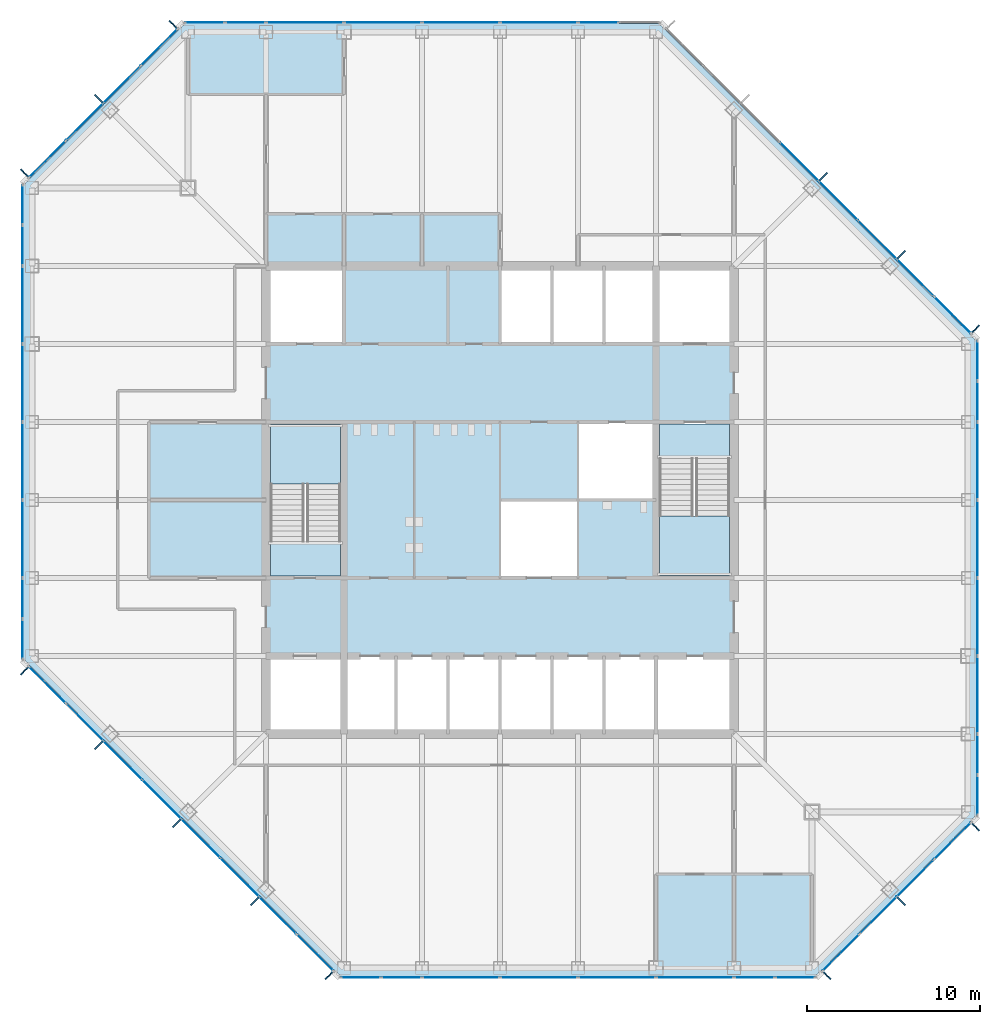
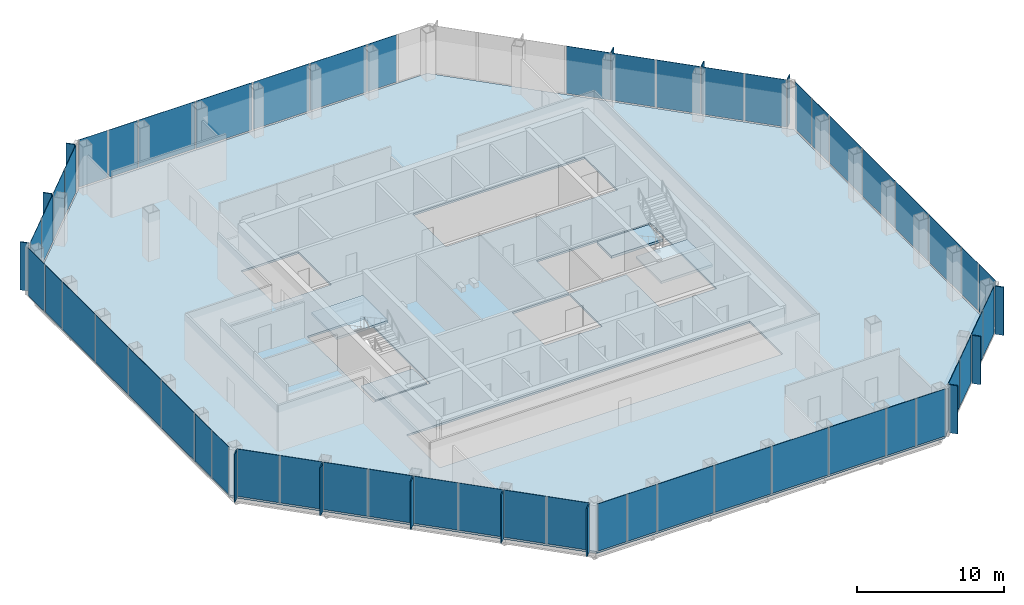
# One storey, part 7 of 12: 66 plates, 5 slabs, 10 elements without a shape of their own.
"""IFC4 building model written with IfcOpenShell, lengths in metres."""

from ifc_helpers import new_model, si_unit, direction, frame, origin, origin_2d, place, context, subcontext, project, spatial, polyline, rectangle, outline, extrude, material, layer, layer_set, type_object, element, aggregate, save


model = new_model("IFC4")

# Units and contexts
model_context = context("Model", 3, precision=1e-05, world=origin(), true_north=direction((0.0, 1.0)))
body_context = subcontext(model_context, "Body", "Model", "MODEL_VIEW")
ifc_project = project(units=[si_unit("LENGTHUNIT", "METRE"), si_unit("AREAUNIT", "SQUARE_METRE"), si_unit("VOLUMEUNIT", "CUBIC_METRE"), si_unit("PLANEANGLEUNIT", "RADIAN"), si_unit("MASSUNIT", "GRAM", prefix="KILO")], contexts=[model_context])

# Site, building, storey
site_placement = place(None, origin())
site = spatial("IfcSite", under=ifc_project, at=site_placement, CompositionType="ELEMENT")
building_placement = place(site_placement, origin())
building = spatial("IfcBuilding", under=site, at=building_placement, Name="Corais Broadcast Tower", CompositionType="ELEMENT")
storey_placement = place(building_placement, frame((0.0, 0.0, 131.60009765625)))
storey = spatial("IfcBuildingStorey", under=building, at=storey_placement, Name="L29", CompositionType="ELEMENT", Elevation=131.60009765625)

# Slab
ifc_material_1 = material(Name="Concrete C30/37", Category="concrete")
ifc_layer_1 = layer(ifc_material_1, 0.159912109375)
ifc_layer_set_1 = layer_set([ifc_layer_1], Name="Concrete C30/37")
slab_type_1 = type_object("IfcSlabType", Name="Composite floor slab 160", PredefinedType="FLOOR", material=ifc_layer_set_1)
slab_1_placement = place(storey_placement, frame((0.0, 0.0, -0.16015625)))
element("IfcSlab", 1, at=slab_1_placement, inside=storey, type_object=slab_type_1, Name="S160 floor slab L29", PredefinedType="FLOOR", context=body_context, shape_type="SweptSolid", body=[
    extrude(outline(polyline([(17.80126953125, -0.47998046875), (-0.47998046875, 17.80126953125), (-0.47998046875, 45.19873046875), (8.80126953125, 54.47998046875), (36.19873046875, 54.47998046875), (54.47998046875, 36.19873046875), (54.47998046875, 8.80126953125), (45.19873046875, -0.47998046875), (17.80126953125, -0.47998046875)]), holes=[polyline([(13.5, 18.0), (40.5, 18.0), (40.5, 13.5), (13.5, 13.5), (13.5, 18.0)]), polyline([(18.0, 22.5), (13.5, 22.5), (13.5, 31.5), (18.0, 31.5), (18.0, 22.5)]), polyline([(18.0, 36.0), (13.5, 36.0), (13.5, 40.5), (18.0, 40.5), (18.0, 36.0)]), polyline([(31.5, 22.5), (27.0, 22.5), (27.0, 27.0), (31.4951171875, 27.0), (31.4951171875, 27.0048828125), (31.5, 27.0048828125), (31.5, 31.5), (40.5, 31.5), (40.5, 22.5), (36.0, 22.5), (36.0, 27.0), (31.5048828125, 27.0), (31.5048828125, 26.9951171875), (31.5, 26.9951171875), (31.5, 22.5)]), polyline([(27.0, 40.5), (40.5, 40.5), (40.5, 36.0), (27.0, 36.0), (27.0, 40.5)])]), origin(), (0.0, 0.0, 1.0), 0.16015625),
])

# Curtain wall, plates
ifc_material_2 = material(Name="Aluminium and glass", Category="aluminium")
curtain_wall_type = type_object("IfcCurtainWallType", Name="Unitised fritted curtain wall CW2", PredefinedType="NOTDEFINED", material=ifc_material_2)
curtain_wall_1_placement = place(storey_placement, origin())
curtain_wall_1 = element("IfcCurtainWall", 2, at=curtain_wall_1_placement, inside=storey, type_object=curtain_wall_type, Name="CW2 curtain wall L29 1", PredefinedType="NOTDEFINED")
ifc_material_3 = material(Name="Ceramic-fritted laminated glass", Category="glass")
ifc_layer_2 = layer(ifc_material_3, 0.028076171875)
ifc_layer_set_2 = layer_set([ifc_layer_2], Name="Ceramic-fritted laminated glass")
plate_type_1 = type_object("IfcPlateType", Name="Fritted glass panel CW2", PredefinedType="CURTAIN_PANEL", material=ifc_layer_set_2)
plate_1_placement = place(storey_placement, frame((16.330322265625, 0.891845703125, 0.06494140625), z_axis=(0.0, 0.0, 1.0), x_axis=(-0.707106781187, 0.707106781187, 0.0)))
plate_1 = element("IfcPlate", 3, at=plate_1_placement, type_object=plate_type_1, Name="CW2 panel 1", PredefinedType="CURTAIN_PANEL", context=body_context, shape_type="SweptSolid", body=[
    extrude(rectangle(XDim=2.9482421875, YDim=0.028076171875, at=origin_2d()), origin(), (0.0, 0.0, 1.0), 3.93505859375),
])
plate_2_placement = place(storey_placement, frame((11.986083984375, 5.236083984375, 0.06494140625), z_axis=(0.0, 0.0, 1.0), x_axis=(-0.707106781187, 0.707106781187, 0.0)))
plate_2 = element("IfcPlate", 4, at=plate_2_placement, type_object=plate_type_1, Name="CW2 panel 3", PredefinedType="CURTAIN_PANEL", context=body_context, shape_type="SweptSolid", body=[
    extrude(rectangle(XDim=3.116943359375, YDim=0.028076171875, at=origin_2d()), origin(), (0.0, 0.0, 1.0), 3.93505859375),
])
plate_3_placement = place(storey_placement, frame((7.486083984375, 9.736083984375, 0.06494140625), z_axis=(0.0, 0.0, 1.0), x_axis=(-0.707106781187, 0.707106781187, 0.0)))
plate_3 = element("IfcPlate", 5, at=plate_3_placement, type_object=plate_type_1, Name="CW2 panel 5", PredefinedType="CURTAIN_PANEL", context=body_context, shape_type="SweptSolid", body=[
    extrude(rectangle(XDim=3.116943359375, YDim=0.028076171875, at=origin_2d()), origin(), (0.0, 0.0, 1.0), 3.93505859375),
])
plate_4_placement = place(storey_placement, frame((3.0341796875, 14.18798828125, 0.06494140625), z_axis=(0.0, 0.0, 1.0), x_axis=(-0.707106781187, 0.707106781187, 0.0)))
plate_4 = element("IfcPlate", 6, at=plate_4_placement, type_object=plate_type_1, Name="CW2 panel 7", PredefinedType="CURTAIN_PANEL", context=body_context, shape_type="SweptSolid", body=[
    extrude(rectangle(XDim=2.98095703125, YDim=0.028076171875, at=origin_2d()), origin(), (0.0, 0.0, 1.0), 3.93505859375),
])

curtain_wall_2_placement = place(storey_placement, origin())
curtain_wall_2 = element("IfcCurtainWall", 7, at=curtain_wall_2_placement, inside=storey, type_object=curtain_wall_type, Name="CW2 curtain wall L29 2", PredefinedType="NOTDEFINED")
plate_5_placement = place(storey_placement, frame((-0.550048828125, 18.970458984375, 0.06494140625), z_axis=(0.0, 0.0, 1.0), x_axis=(0.0, 1.0, 0.0)))
plate_5 = element("IfcPlate", 8, at=plate_5_placement, type_object=plate_type_1, Name="CW2 panel 1", PredefinedType="CURTAIN_PANEL", context=body_context, shape_type="SweptSolid", body=[
    extrude(rectangle(XDim=2.266357421875, YDim=0.028076171875, at=origin_2d()), origin(), (0.0, 0.0, 1.0), 3.93505859375),
])
plate_6_placement = place(storey_placement, frame((-0.550048828125, 24.75, 0.06494140625), z_axis=(0.0, 0.0, 1.0), x_axis=(0.0, 1.0, 0.0)))
plate_6 = element("IfcPlate", 9, at=plate_6_placement, type_object=plate_type_1, Name="CW2 panel 3", PredefinedType="CURTAIN_PANEL", context=body_context, shape_type="SweptSolid", body=[
    extrude(rectangle(XDim=4.43505859375, YDim=0.028076171875, at=origin_2d()), origin(), (0.0, 0.0, 1.0), 3.93505859375),
])
plate_7_placement = place(storey_placement, frame((-0.550048828125, 33.75, 0.06494140625), z_axis=(0.0, 0.0, 1.0), x_axis=(0.0, 1.0, 0.0)))
plate_7 = element("IfcPlate", 10, at=plate_7_placement, type_object=plate_type_1, Name="CW2 panel 5", PredefinedType="CURTAIN_PANEL", context=body_context, shape_type="SweptSolid", body=[
    extrude(rectangle(XDim=4.43505859375, YDim=0.028076171875, at=origin_2d()), origin(), (0.0, 0.0, 1.0), 3.93505859375),
])
plate_8_placement = place(storey_placement, frame((-0.550048828125, 41.681884765625, 0.06494140625), z_axis=(0.0, 0.0, 1.0), x_axis=(0.0, 1.0, 0.0)))
plate_8 = element("IfcPlate", 11, at=plate_8_placement, type_object=plate_type_1, Name="CW2 panel 7", PredefinedType="CURTAIN_PANEL", context=body_context, shape_type="SweptSolid", body=[
    extrude(rectangle(XDim=2.298828125, YDim=0.028076171875, at=origin_2d()), origin(), (0.0, 0.0, 1.0), 3.93505859375),
])

curtain_wall_3_placement = place(storey_placement, origin())
curtain_wall_3 = element("IfcCurtainWall", 12, at=curtain_wall_3_placement, inside=storey, type_object=curtain_wall_type, Name="CW2 curtain wall L29 3", PredefinedType="NOTDEFINED")
plate_9_placement = place(storey_placement, frame((0.891845703125, 46.669677734375, 0.06494140625), z_axis=(0.0, 0.0, 1.0), x_axis=(0.707106781187, 0.707106781187, 0.0)))
plate_9 = element("IfcPlate", 13, at=plate_9_placement, type_object=plate_type_1, Name="CW2 panel 1", PredefinedType="CURTAIN_PANEL", context=body_context, shape_type="SweptSolid", body=[
    extrude(rectangle(XDim=2.9482421875, YDim=0.028076171875, at=origin_2d()), origin(), (0.0, 0.0, 1.0), 3.93505859375),
])
plate_10_placement = place(storey_placement, frame((5.18798828125, 50.9658203125, 0.06494140625), z_axis=(0.0, 0.0, 1.0), x_axis=(0.707106781187, 0.707106781187, 0.0)))
plate_10 = element("IfcPlate", 14, at=plate_10_placement, type_object=plate_type_1, Name="CW2 panel 3", PredefinedType="CURTAIN_PANEL", context=body_context, shape_type="SweptSolid", body=[
    extrude(rectangle(XDim=2.98095703125, YDim=0.028076171875, at=origin_2d()), origin(), (0.0, 0.0, 1.0), 3.93505859375),
])

curtain_wall_4_placement = place(storey_placement, origin())
curtain_wall_4 = element("IfcCurtainWall", 15, at=curtain_wall_4_placement, inside=storey, type_object=curtain_wall_type, Name="CW2 curtain wall L29 4", PredefinedType="NOTDEFINED")
plate_11_placement = place(storey_placement, frame((9.970458984375, 54.550048828125, 0.06494140625), z_axis=(0.0, 0.0, 1.0), x_axis=(1.0, 0.0, 0.0)))
plate_11 = element("IfcPlate", 16, at=plate_11_placement, type_object=plate_type_1, Name="CW2 panel 1", PredefinedType="CURTAIN_PANEL", context=body_context, shape_type="SweptSolid", body=[
    extrude(rectangle(XDim=2.266357421875, YDim=0.028076171875, at=origin_2d()), origin(), (0.0, 0.0, 1.0), 3.93505859375),
])
plate_12_placement = place(storey_placement, frame((15.75, 54.550048828125, 0.06494140625), z_axis=(0.0, 0.0, 1.0), x_axis=(1.0, 0.0, 0.0)))
plate_12 = element("IfcPlate", 17, at=plate_12_placement, type_object=plate_type_1, Name="CW2 panel 3", PredefinedType="CURTAIN_PANEL", context=body_context, shape_type="SweptSolid", body=[
    extrude(rectangle(XDim=4.43505859375, YDim=0.028076171875, at=origin_2d()), origin(), (0.0, 0.0, 1.0), 3.93505859375),
])
plate_13_placement = place(storey_placement, frame((24.75, 54.550048828125, 0.06494140625), z_axis=(0.0, 0.0, 1.0), x_axis=(1.0, 0.0, 0.0)))
plate_13 = element("IfcPlate", 18, at=plate_13_placement, type_object=plate_type_1, Name="CW2 panel 5", PredefinedType="CURTAIN_PANEL", context=body_context, shape_type="SweptSolid", body=[
    extrude(rectangle(XDim=4.43505859375, YDim=0.028076171875, at=origin_2d()), origin(), (0.0, 0.0, 1.0), 3.93505859375),
])
plate_14_placement = place(storey_placement, frame((32.681884765625, 54.550048828125, 0.06494140625), z_axis=(0.0, 0.0, 1.0), x_axis=(1.0, 0.0, 0.0)))
plate_14 = element("IfcPlate", 19, at=plate_14_placement, type_object=plate_type_1, Name="CW2 panel 7", PredefinedType="CURTAIN_PANEL", context=body_context, shape_type="SweptSolid", body=[
    extrude(rectangle(XDim=2.298828125, YDim=0.028076171875, at=origin_2d()), origin(), (0.0, 0.0, 1.0), 3.93505859375),
])

curtain_wall_5_placement = place(storey_placement, origin())
curtain_wall_5 = element("IfcCurtainWall", 20, at=curtain_wall_5_placement, inside=storey, type_object=curtain_wall_type, Name="CW2 curtain wall L29 5", PredefinedType="NOTDEFINED")
plate_15_placement = place(storey_placement, frame((46.513916015625, 44.263916015625, 0.06494140625), z_axis=(0.0, 0.0, 1.0), x_axis=(0.707106781187, -0.707106781187, 0.0)))
plate_15 = element("IfcPlate", 21, at=plate_15_placement, type_object=plate_type_1, Name="CW2 panel 5", PredefinedType="CURTAIN_PANEL", context=body_context, shape_type="SweptSolid", body=[
    extrude(rectangle(XDim=3.116943359375, YDim=0.028076171875, at=origin_2d()), origin(), (0.0, 0.0, 1.0), 3.93505859375),
])
plate_16_placement = place(storey_placement, frame((50.9658203125, 39.81201171875, 0.06494140625), z_axis=(0.0, 0.0, 1.0), x_axis=(0.707106781187, -0.707106781187, 0.0)))
plate_16 = element("IfcPlate", 22, at=plate_16_placement, type_object=plate_type_1, Name="CW2 panel 7", PredefinedType="CURTAIN_PANEL", context=body_context, shape_type="SweptSolid", body=[
    extrude(rectangle(XDim=2.98095703125, YDim=0.028076171875, at=origin_2d()), origin(), (0.0, 0.0, 1.0), 3.93505859375),
])

curtain_wall_6_placement = place(storey_placement, origin())
curtain_wall_6 = element("IfcCurtainWall", 23, at=curtain_wall_6_placement, inside=storey, type_object=curtain_wall_type, Name="CW2 curtain wall L29 6", PredefinedType="NOTDEFINED")
plate_17_placement = place(storey_placement, frame((54.550048828125, 35.029541015625, 0.06494140625), z_axis=(0.0, 0.0, 1.0), x_axis=(0.0, -1.0, 0.0)))
plate_17 = element("IfcPlate", 24, at=plate_17_placement, type_object=plate_type_1, Name="CW2 panel 1", PredefinedType="CURTAIN_PANEL", context=body_context, shape_type="SweptSolid", body=[
    extrude(rectangle(XDim=2.266357421875, YDim=0.028076171875, at=origin_2d()), origin(), (0.0, 0.0, 1.0), 3.93505859375),
])
plate_18_placement = place(storey_placement, frame((54.550048828125, 29.25, 0.06494140625), z_axis=(0.0, 0.0, 1.0), x_axis=(0.0, -1.0, 0.0)))
plate_18 = element("IfcPlate", 25, at=plate_18_placement, type_object=plate_type_1, Name="CW2 panel 3", PredefinedType="CURTAIN_PANEL", context=body_context, shape_type="SweptSolid", body=[
    extrude(rectangle(XDim=4.43505859375, YDim=0.028076171875, at=origin_2d()), origin(), (0.0, 0.0, 1.0), 3.93505859375),
])
plate_19_placement = place(storey_placement, frame((54.550048828125, 20.25, 0.06494140625), z_axis=(0.0, 0.0, 1.0), x_axis=(0.0, -1.0, 0.0)))
plate_19 = element("IfcPlate", 26, at=plate_19_placement, type_object=plate_type_1, Name="CW2 panel 5", PredefinedType="CURTAIN_PANEL", context=body_context, shape_type="SweptSolid", body=[
    extrude(rectangle(XDim=4.43505859375, YDim=0.028076171875, at=origin_2d()), origin(), (0.0, 0.0, 1.0), 3.93505859375),
])
plate_20_placement = place(storey_placement, frame((54.550048828125, 12.318115234375, 0.06494140625), z_axis=(0.0, 0.0, 1.0), x_axis=(0.0, -1.0, 0.0)))
plate_20 = element("IfcPlate", 27, at=plate_20_placement, type_object=plate_type_1, Name="CW2 panel 7", PredefinedType="CURTAIN_PANEL", context=body_context, shape_type="SweptSolid", body=[
    extrude(rectangle(XDim=2.298828125, YDim=0.028076171875, at=origin_2d()), origin(), (0.0, 0.0, 1.0), 3.93505859375),
])

curtain_wall_7_placement = place(storey_placement, origin())
curtain_wall_7 = element("IfcCurtainWall", 28, at=curtain_wall_7_placement, inside=storey, type_object=curtain_wall_type, Name="CW2 curtain wall L29 7", PredefinedType="NOTDEFINED")
plate_21_placement = place(storey_placement, frame((53.108154296875, 7.330322265625, 0.06494140625), z_axis=(0.0, 0.0, 1.0), x_axis=(-0.707106781187, -0.707106781187, 0.0)))
plate_21 = element("IfcPlate", 29, at=plate_21_placement, type_object=plate_type_1, Name="CW2 panel 1", PredefinedType="CURTAIN_PANEL", context=body_context, shape_type="SweptSolid", body=[
    extrude(rectangle(XDim=2.9482421875, YDim=0.028076171875, at=origin_2d()), origin(), (0.0, 0.0, 1.0), 3.93505859375),
])
plate_22_placement = place(storey_placement, frame((48.81201171875, 3.0341796875, 0.06494140625), z_axis=(0.0, 0.0, 1.0), x_axis=(-0.707106781187, -0.707106781187, 0.0)))
plate_22 = element("IfcPlate", 30, at=plate_22_placement, type_object=plate_type_1, Name="CW2 panel 3", PredefinedType="CURTAIN_PANEL", context=body_context, shape_type="SweptSolid", body=[
    extrude(rectangle(XDim=2.98095703125, YDim=0.028076171875, at=origin_2d()), origin(), (0.0, 0.0, 1.0), 3.93505859375),
])

curtain_wall_8_placement = place(storey_placement, origin())
curtain_wall_8 = element("IfcCurtainWall", 31, at=curtain_wall_8_placement, inside=storey, type_object=curtain_wall_type, Name="CW2 curtain wall L29 8", PredefinedType="NOTDEFINED")
plate_23_placement = place(storey_placement, frame((44.029541015625, -0.550048828125, 0.06494140625), z_axis=(0.0, 0.0, 1.0), x_axis=(-1.0, 0.0, 0.0)))
plate_23 = element("IfcPlate", 32, at=plate_23_placement, type_object=plate_type_1, Name="CW2 panel 1", PredefinedType="CURTAIN_PANEL", context=body_context, shape_type="SweptSolid", body=[
    extrude(rectangle(XDim=2.266357421875, YDim=0.028076171875, at=origin_2d()), origin(), (0.0, 0.0, 1.0), 3.93505859375),
])
plate_24_placement = place(storey_placement, frame((38.25, -0.550048828125, 0.06494140625), z_axis=(0.0, 0.0, 1.0), x_axis=(-1.0, 0.0, 0.0)))
plate_24 = element("IfcPlate", 33, at=plate_24_placement, type_object=plate_type_1, Name="CW2 panel 3", PredefinedType="CURTAIN_PANEL", context=body_context, shape_type="SweptSolid", body=[
    extrude(rectangle(XDim=4.43505859375, YDim=0.028076171875, at=origin_2d()), origin(), (0.0, 0.0, 1.0), 3.93505859375),
])
plate_25_placement = place(storey_placement, frame((29.25, -0.550048828125, 0.06494140625), z_axis=(0.0, 0.0, 1.0), x_axis=(-1.0, 0.0, 0.0)))
plate_25 = element("IfcPlate", 34, at=plate_25_placement, type_object=plate_type_1, Name="CW2 panel 5", PredefinedType="CURTAIN_PANEL", context=body_context, shape_type="SweptSolid", body=[
    extrude(rectangle(XDim=4.43505859375, YDim=0.028076171875, at=origin_2d()), origin(), (0.0, 0.0, 1.0), 3.93505859375),
])
plate_26_placement = place(storey_placement, frame((21.318115234375, -0.550048828125, 0.06494140625), z_axis=(0.0, 0.0, 1.0), x_axis=(-1.0, 0.0, 0.0)))
plate_26 = element("IfcPlate", 35, at=plate_26_placement, type_object=plate_type_1, Name="CW2 panel 7", PredefinedType="CURTAIN_PANEL", context=body_context, shape_type="SweptSolid", body=[
    extrude(rectangle(XDim=2.298828125, YDim=0.028076171875, at=origin_2d()), origin(), (0.0, 0.0, 1.0), 3.93505859375),
])

# Plate
ifc_material_4 = material(Name="Clear laminated glass", Category="glass")
ifc_layer_3 = layer(ifc_material_4, 0.031982421875)
ifc_layer_set_3 = layer_set([ifc_layer_3], Name="Clear laminated glass")
plate_type_2 = type_object("IfcPlateType", Name="Operable glass panel CW2", PredefinedType="CURTAIN_PANEL", material=ifc_layer_set_3)
plate_27_placement = place(storey_placement, frame((14.18798828125, 3.0341796875, 0.06494140625), z_axis=(0.0, 0.0, 1.0), x_axis=(-0.707106781187, 0.707106781187, 0.0)))
plate_27 = element("IfcPlate", 36, at=plate_27_placement, type_object=plate_type_2, Name="CW2 operable panel 2", PredefinedType="CURTAIN_PANEL", context=body_context, shape_type="SweptSolid", body=[
    extrude(rectangle(XDim=2.98095703125, YDim=0.031982421875, at=origin_2d()), origin(), (0.0, 0.0, 1.0), 3.93505859375),
])

plate_28_placement = place(storey_placement, frame((9.736083984375, 7.486083984375, 0.06494140625), z_axis=(0.0, 0.0, 1.0), x_axis=(-0.707106781187, 0.707106781187, 0.0)))
plate_28 = element("IfcPlate", 37, at=plate_28_placement, type_object=plate_type_2, Name="CW2 operable panel 4", PredefinedType="CURTAIN_PANEL", context=body_context, shape_type="SweptSolid", body=[
    extrude(rectangle(XDim=3.116943359375, YDim=0.031982421875, at=origin_2d()), origin(), (0.0, 0.0, 1.0), 3.93505859375),
])

plate_29_placement = place(storey_placement, frame((5.236083984375, 11.986083984375, 0.06494140625), z_axis=(0.0, 0.0, 1.0), x_axis=(-0.707106781187, 0.707106781187, 0.0)))
plate_29 = element("IfcPlate", 38, at=plate_29_placement, type_object=plate_type_2, Name="CW2 operable panel 6", PredefinedType="CURTAIN_PANEL", context=body_context, shape_type="SweptSolid", body=[
    extrude(rectangle(XDim=3.116943359375, YDim=0.031982421875, at=origin_2d()), origin(), (0.0, 0.0, 1.0), 3.93505859375),
])

plate_30_placement = place(storey_placement, frame((0.89208984375, 16.330322265625, 0.06494140625), z_axis=(0.0, 0.0, 1.0), x_axis=(-0.707106781187, 0.707106781187, 0.0)))
plate_30 = element("IfcPlate", 39, at=plate_30_placement, type_object=plate_type_2, Name="CW2 operable panel 8", PredefinedType="CURTAIN_PANEL", context=body_context, shape_type="SweptSolid", body=[
    extrude(rectangle(XDim=2.948486328125, YDim=0.031982421875, at=origin_2d()), origin(), (0.0, 0.0, 1.0), 3.93505859375),
])

aggregate(curtain_wall_1, [plate_1, plate_27, plate_2, plate_28, plate_3, plate_29, plate_4, plate_30])

plate_31_placement = place(storey_placement, frame((-0.550048828125, 21.318115234375, 0.06494140625), z_axis=(0.0, 0.0, 1.0), x_axis=(0.0, 1.0, 0.0)))
plate_31 = element("IfcPlate", 40, at=plate_31_placement, type_object=plate_type_2, Name="CW2 operable panel 2", PredefinedType="CURTAIN_PANEL", context=body_context, shape_type="SweptSolid", body=[
    extrude(rectangle(XDim=2.298828125, YDim=0.031982421875, at=origin_2d()), origin(), (0.0, 0.0, 1.0), 3.93505859375),
])

plate_32_placement = place(storey_placement, frame((-0.550048828125, 29.25, 0.06494140625), z_axis=(0.0, 0.0, 1.0), x_axis=(0.0, 1.0, 0.0)))
plate_32 = element("IfcPlate", 41, at=plate_32_placement, type_object=plate_type_2, Name="CW2 operable panel 4", PredefinedType="CURTAIN_PANEL", context=body_context, shape_type="SweptSolid", body=[
    extrude(rectangle(XDim=4.43505859375, YDim=0.031982421875, at=origin_2d()), origin(), (0.0, 0.0, 1.0), 3.93505859375),
])

plate_33_placement = place(storey_placement, frame((-0.550048828125, 38.25, 0.06494140625), z_axis=(0.0, 0.0, 1.0), x_axis=(0.0, 1.0, 0.0)))
plate_33 = element("IfcPlate", 42, at=plate_33_placement, type_object=plate_type_2, Name="CW2 operable panel 6", PredefinedType="CURTAIN_PANEL", context=body_context, shape_type="SweptSolid", body=[
    extrude(rectangle(XDim=4.43505859375, YDim=0.031982421875, at=origin_2d()), origin(), (0.0, 0.0, 1.0), 3.93505859375),
])

plate_34_placement = place(storey_placement, frame((-0.550048828125, 44.029541015625, 0.06494140625), z_axis=(0.0, 0.0, 1.0), x_axis=(0.0, 1.0, 0.0)))
plate_34 = element("IfcPlate", 43, at=plate_34_placement, type_object=plate_type_2, Name="CW2 operable panel 8", PredefinedType="CURTAIN_PANEL", context=body_context, shape_type="SweptSolid", body=[
    extrude(rectangle(XDim=2.266357421875, YDim=0.031982421875, at=origin_2d()), origin(), (0.0, 0.0, 1.0), 3.93505859375),
])

aggregate(curtain_wall_2, [plate_5, plate_31, plate_6, plate_32, plate_7, plate_33, plate_8, plate_34])

plate_35_placement = place(storey_placement, frame((3.0341796875, 48.81201171875, 0.06494140625), z_axis=(0.0, 0.0, 1.0), x_axis=(0.707106781187, 0.707106781187, 0.0)))
plate_35 = element("IfcPlate", 44, at=plate_35_placement, type_object=plate_type_2, Name="CW2 operable panel 2", PredefinedType="CURTAIN_PANEL", context=body_context, shape_type="SweptSolid", body=[
    extrude(rectangle(XDim=2.98095703125, YDim=0.031982421875, at=origin_2d()), origin(), (0.0, 0.0, 1.0), 3.93505859375),
])

plate_36_placement = place(storey_placement, frame((7.330322265625, 53.10791015625, 0.06494140625), z_axis=(0.0, 0.0, 1.0), x_axis=(0.707106781187, 0.707106781187, 0.0)))
plate_36 = element("IfcPlate", 45, at=plate_36_placement, type_object=plate_type_2, Name="CW2 operable panel 4", PredefinedType="CURTAIN_PANEL", context=body_context, shape_type="SweptSolid", body=[
    extrude(rectangle(XDim=2.948486328125, YDim=0.031982421875, at=origin_2d()), origin(), (0.0, 0.0, 1.0), 3.93505859375),
])

aggregate(curtain_wall_3, [plate_9, plate_35, plate_10, plate_36])

plate_37_placement = place(storey_placement, frame((12.318115234375, 54.550048828125, 0.06494140625), z_axis=(0.0, 0.0, 1.0), x_axis=(1.0, 0.0, 0.0)))
plate_37 = element("IfcPlate", 46, at=plate_37_placement, type_object=plate_type_2, Name="CW2 operable panel 2", PredefinedType="CURTAIN_PANEL", context=body_context, shape_type="SweptSolid", body=[
    extrude(rectangle(XDim=2.298828125, YDim=0.031982421875, at=origin_2d()), origin(), (0.0, 0.0, 1.0), 3.93505859375),
])

plate_38_placement = place(storey_placement, frame((20.25, 54.550048828125, 0.06494140625), z_axis=(0.0, 0.0, 1.0), x_axis=(1.0, 0.0, 0.0)))
plate_38 = element("IfcPlate", 47, at=plate_38_placement, type_object=plate_type_2, Name="CW2 operable panel 4", PredefinedType="CURTAIN_PANEL", context=body_context, shape_type="SweptSolid", body=[
    extrude(rectangle(XDim=4.43505859375, YDim=0.031982421875, at=origin_2d()), origin(), (0.0, 0.0, 1.0), 3.93505859375),
])

plate_39_placement = place(storey_placement, frame((29.25, 54.550048828125, 0.06494140625), z_axis=(0.0, 0.0, 1.0), x_axis=(1.0, 0.0, 0.0)))
plate_39 = element("IfcPlate", 48, at=plate_39_placement, type_object=plate_type_2, Name="CW2 operable panel 6", PredefinedType="CURTAIN_PANEL", context=body_context, shape_type="SweptSolid", body=[
    extrude(rectangle(XDim=4.43505859375, YDim=0.031982421875, at=origin_2d()), origin(), (0.0, 0.0, 1.0), 3.93505859375),
])

aggregate(curtain_wall_4, [plate_11, plate_37, plate_12, plate_38, plate_13, plate_39, plate_14])

plate_40_placement = place(storey_placement, frame((44.263916015625, 46.513916015625, 0.06494140625), z_axis=(0.0, 0.0, 1.0), x_axis=(0.707106781187, -0.707106781187, 0.0)))
plate_40 = element("IfcPlate", 49, at=plate_40_placement, type_object=plate_type_2, Name="CW2 operable panel 4", PredefinedType="CURTAIN_PANEL", context=body_context, shape_type="SweptSolid", body=[
    extrude(rectangle(XDim=3.116943359375, YDim=0.031982421875, at=origin_2d()), origin(), (0.0, 0.0, 1.0), 3.93505859375),
])

plate_41_placement = place(storey_placement, frame((48.763916015625, 42.013916015625, 0.06494140625), z_axis=(0.0, 0.0, 1.0), x_axis=(0.707106781187, -0.707106781187, 0.0)))
plate_41 = element("IfcPlate", 50, at=plate_41_placement, type_object=plate_type_2, Name="CW2 operable panel 6", PredefinedType="CURTAIN_PANEL", context=body_context, shape_type="SweptSolid", body=[
    extrude(rectangle(XDim=3.116943359375, YDim=0.031982421875, at=origin_2d()), origin(), (0.0, 0.0, 1.0), 3.93505859375),
])

plate_42_placement = place(storey_placement, frame((53.10791015625, 37.669677734375, 0.06494140625), z_axis=(0.0, 0.0, 1.0), x_axis=(0.707106781187, -0.707106781187, 0.0)))
plate_42 = element("IfcPlate", 51, at=plate_42_placement, type_object=plate_type_2, Name="CW2 operable panel 8", PredefinedType="CURTAIN_PANEL", context=body_context, shape_type="SweptSolid", body=[
    extrude(rectangle(XDim=2.948486328125, YDim=0.031982421875, at=origin_2d()), origin(), (0.0, 0.0, 1.0), 3.93505859375),
])

aggregate(curtain_wall_5, [plate_40, plate_15, plate_41, plate_16, plate_42])

plate_43_placement = place(storey_placement, frame((54.550048828125, 32.681884765625, 0.06494140625), z_axis=(0.0, 0.0, 1.0), x_axis=(0.0, -1.0, 0.0)))
plate_43 = element("IfcPlate", 52, at=plate_43_placement, type_object=plate_type_2, Name="CW2 operable panel 2", PredefinedType="CURTAIN_PANEL", context=body_context, shape_type="SweptSolid", body=[
    extrude(rectangle(XDim=2.298828125, YDim=0.031982421875, at=origin_2d()), origin(), (0.0, 0.0, 1.0), 3.93505859375),
])

plate_44_placement = place(storey_placement, frame((54.550048828125, 24.75, 0.06494140625), z_axis=(0.0, 0.0, 1.0), x_axis=(0.0, -1.0, 0.0)))
plate_44 = element("IfcPlate", 53, at=plate_44_placement, type_object=plate_type_2, Name="CW2 operable panel 4", PredefinedType="CURTAIN_PANEL", context=body_context, shape_type="SweptSolid", body=[
    extrude(rectangle(XDim=4.43505859375, YDim=0.031982421875, at=origin_2d()), origin(), (0.0, 0.0, 1.0), 3.93505859375),
])

plate_45_placement = place(storey_placement, frame((54.550048828125, 15.75, 0.06494140625), z_axis=(0.0, 0.0, 1.0), x_axis=(0.0, -1.0, 0.0)))
plate_45 = element("IfcPlate", 54, at=plate_45_placement, type_object=plate_type_2, Name="CW2 operable panel 6", PredefinedType="CURTAIN_PANEL", context=body_context, shape_type="SweptSolid", body=[
    extrude(rectangle(XDim=4.43505859375, YDim=0.031982421875, at=origin_2d()), origin(), (0.0, 0.0, 1.0), 3.93505859375),
])

plate_46_placement = place(storey_placement, frame((54.550048828125, 9.970458984375, 0.06494140625), z_axis=(0.0, 0.0, 1.0), x_axis=(0.0, -1.0, 0.0)))
plate_46 = element("IfcPlate", 55, at=plate_46_placement, type_object=plate_type_2, Name="CW2 operable panel 8", PredefinedType="CURTAIN_PANEL", context=body_context, shape_type="SweptSolid", body=[
    extrude(rectangle(XDim=2.266357421875, YDim=0.031982421875, at=origin_2d()), origin(), (0.0, 0.0, 1.0), 3.93505859375),
])

aggregate(curtain_wall_6, [plate_17, plate_43, plate_18, plate_44, plate_19, plate_45, plate_20, plate_46])

plate_47_placement = place(storey_placement, frame((50.9658203125, 5.18798828125, 0.06494140625), z_axis=(0.0, 0.0, 1.0), x_axis=(-0.707106781187, -0.707106781187, 0.0)))
plate_47 = element("IfcPlate", 56, at=plate_47_placement, type_object=plate_type_2, Name="CW2 operable panel 2", PredefinedType="CURTAIN_PANEL", context=body_context, shape_type="SweptSolid", body=[
    extrude(rectangle(XDim=2.98095703125, YDim=0.031982421875, at=origin_2d()), origin(), (0.0, 0.0, 1.0), 3.93505859375),
])

plate_48_placement = place(storey_placement, frame((46.669677734375, 0.89208984375, 0.06494140625), z_axis=(0.0, 0.0, 1.0), x_axis=(-0.707106781187, -0.707106781187, 0.0)))
plate_48 = element("IfcPlate", 57, at=plate_48_placement, type_object=plate_type_2, Name="CW2 operable panel 4", PredefinedType="CURTAIN_PANEL", context=body_context, shape_type="SweptSolid", body=[
    extrude(rectangle(XDim=2.948486328125, YDim=0.031982421875, at=origin_2d()), origin(), (0.0, 0.0, 1.0), 3.93505859375),
])

aggregate(curtain_wall_7, [plate_21, plate_47, plate_22, plate_48])

plate_49_placement = place(storey_placement, frame((41.681884765625, -0.550048828125, 0.06494140625), z_axis=(0.0, 0.0, 1.0), x_axis=(-1.0, 0.0, 0.0)))
plate_49 = element("IfcPlate", 58, at=plate_49_placement, type_object=plate_type_2, Name="CW2 operable panel 2", PredefinedType="CURTAIN_PANEL", context=body_context, shape_type="SweptSolid", body=[
    extrude(rectangle(XDim=2.298828125, YDim=0.031982421875, at=origin_2d()), origin(), (0.0, 0.0, 1.0), 3.93505859375),
])

plate_50_placement = place(storey_placement, frame((33.75, -0.550048828125, 0.06494140625), z_axis=(0.0, 0.0, 1.0), x_axis=(-1.0, 0.0, 0.0)))
plate_50 = element("IfcPlate", 59, at=plate_50_placement, type_object=plate_type_2, Name="CW2 operable panel 4", PredefinedType="CURTAIN_PANEL", context=body_context, shape_type="SweptSolid", body=[
    extrude(rectangle(XDim=4.43505859375, YDim=0.031982421875, at=origin_2d()), origin(), (0.0, 0.0, 1.0), 3.93505859375),
])

plate_51_placement = place(storey_placement, frame((24.75, -0.550048828125, 0.06494140625), z_axis=(0.0, 0.0, 1.0), x_axis=(-1.0, 0.0, 0.0)))
plate_51 = element("IfcPlate", 60, at=plate_51_placement, type_object=plate_type_2, Name="CW2 operable panel 6", PredefinedType="CURTAIN_PANEL", context=body_context, shape_type="SweptSolid", body=[
    extrude(rectangle(XDim=4.43505859375, YDim=0.031982421875, at=origin_2d()), origin(), (0.0, 0.0, 1.0), 3.93505859375),
])

plate_52_placement = place(storey_placement, frame((18.970458984375, -0.550048828125, 0.06494140625), z_axis=(0.0, 0.0, 1.0), x_axis=(-1.0, 0.0, 0.0)))
plate_52 = element("IfcPlate", 61, at=plate_52_placement, type_object=plate_type_2, Name="CW2 operable panel 8", PredefinedType="CURTAIN_PANEL", context=body_context, shape_type="SweptSolid", body=[
    extrude(rectangle(XDim=2.266357421875, YDim=0.031982421875, at=origin_2d()), origin(), (0.0, 0.0, 1.0), 3.93505859375),
])

aggregate(curtain_wall_8, [plate_23, plate_49, plate_24, plate_50, plate_25, plate_51, plate_26, plate_52])

# Stair, slabs
ifc_material_5 = material(Name="Concrete C30/37", Category="concrete")
stair_type = type_object("IfcStairType", Name="Half-turn stair 4000", PredefinedType="HALF_TURN_STAIR", material=ifc_material_5)
stair_1_placement = place(storey_placement, origin())
stair_1 = element("IfcStair", 62, at=stair_1_placement, inside=storey, type_object=stair_type, Name="Stair A L29", PredefinedType="HALF_TURN_STAIR")
ifc_material_6 = material(Name="Concrete C30/37", Category="concrete")
ifc_layer_4 = layer(ifc_material_6, 0.199951171875)
ifc_layer_set_4 = layer_set([ifc_layer_4], Name="Concrete C30/37")
slab_type_2 = type_object("IfcSlabType", Name="Stair landing 200", PredefinedType="LANDING", material=ifc_layer_set_4)
slab_2_placement = place(storey_placement, frame((0.0, 0.0, -0.2001953125)))
slab_2 = element("IfcSlab", 63, at=slab_2_placement, type_object=slab_type_2, Name="STA landing 1", PredefinedType="LANDING", context=body_context, shape_type="SweptSolid", body=[
    extrude(outline(polyline([(13.75, 22.625), (17.800048828125, 22.625), (17.800048828125, 24.60009765625), (13.75, 24.60009765625), (13.75, 22.625)])), origin(), (0.0, 0.0, 1.0), 0.2001953125),
])
slab_3_placement = place(storey_placement, frame((0.0, 0.0, 1.7998046875)))
slab_3 = element("IfcSlab", 64, at=slab_3_placement, type_object=slab_type_2, Name="STA landing 2", PredefinedType="LANDING", context=body_context, shape_type="SweptSolid", body=[
    extrude(outline(polyline([(13.75, 27.922119140625), (17.800048828125, 27.922119140625), (17.800048828125, 31.375), (13.75, 31.375), (13.75, 27.922119140625)])), origin(), (0.0, 0.0, 1.0), 0.2001953125),
])
aggregate(stair_1, [slab_2, slab_3])

stair_2_placement = place(storey_placement, origin())
stair_2 = element("IfcStair", 65, at=stair_2_placement, inside=storey, type_object=stair_type, Name="Stair B L29", PredefinedType="HALF_TURN_STAIR")
slab_4_placement = place(storey_placement, frame((0.0, 0.0, -0.2001953125)))
slab_4 = element("IfcSlab", 66, at=slab_4_placement, type_object=slab_type_2, Name="STB landing 1", PredefinedType="LANDING", context=body_context, shape_type="SweptSolid", body=[
    extrude(outline(polyline([(36.199951171875, 29.39990234375), (40.25, 29.39990234375), (40.25, 31.375), (36.199951171875, 31.375), (36.199951171875, 29.39990234375)])), origin(), (0.0, 0.0, 1.0), 0.2001953125),
])
slab_5_placement = place(storey_placement, frame((0.0, 0.0, 1.7998046875)))
slab_5 = element("IfcSlab", 67, at=slab_5_placement, type_object=slab_type_2, Name="STB landing 2", PredefinedType="LANDING", context=body_context, shape_type="SweptSolid", body=[
    extrude(outline(polyline([(36.199951171875, 22.625), (40.25, 22.625), (40.25, 26.077880859375), (36.199951171875, 26.077880859375), (36.199951171875, 22.625)])), origin(), (0.0, 0.0, 1.0), 0.2001953125),
])
aggregate(stair_2, [slab_4, slab_5])

# Plates
ifc_material_7 = material(Name="Granite stone cladding", Category="masonry")
ifc_layer_5 = layer(ifc_material_7, 0.080078125)
ifc_layer_set_5 = layer_set([ifc_layer_5], Name="Granite stone cladding")
plate_type_3 = type_object("IfcPlateType", Name="Stone screen fin 80x600", PredefinedType="USERDEFINED", material=ifc_layer_set_5)
for number, where, z_axis, x_axis, name in (
    (68, (17.1220703125, -0.447021484375, 0.0), (0.0, 0.0, 1.0), (-0.707106781187, 0.707106781187, 0.0), "SF1 stone screen fin L29"),
    (69, (12.83740234375, 3.83740234375, 0.0), (0.0, 0.0, 1.0), (-0.707106781187, 0.707106781187, 0.0), "SF1 stone screen fin L29"),
    (70, (8.33740234375, 8.33740234375, 0.0), (0.0, 0.0, 1.0), (-0.707106781187, 0.707106781187, 0.0), "SF1 stone screen fin L29"),
    (71, (3.83740234375, 12.83740234375, 0.0), (0.0, 0.0, 1.0), (-0.707106781187, 0.707106781187, 0.0), "SF1 stone screen fin L29"),
    (72, (-0.447021484375, 17.1220703125, 0.0), (0.0, 0.0, 1.0), (-0.707106781187, 0.707106781187, 0.0), "SF1 stone screen fin L29"),
    (73, (-0.447021484375, 45.8779296875, 0.0), (0.0, 0.0, 1.0), (0.707106781187, 0.707106781187, 0.0), "SF1 stone screen fin L29"),
    (74, (3.83740234375, 50.16259765625, 0.0), (0.0, 0.0, 1.0), (0.707106781187, 0.707106781187, 0.0), "SF1 stone screen fin L29"),
    (75, (8.1220703125, 54.447021484375, 0.0), (0.0, 0.0, 1.0), (0.707106781187, 0.707106781187, 0.0), "SF1 stone screen fin L29"),
    (76, (45.66259765625, 45.66259765625, 0.0), (0.0, 0.0, 1.0), (0.707106781187, -0.707106781187, 0.0), "SF1 stone screen fin L29"),
    (77, (50.16259765625, 41.16259765625, 0.0), (0.0, 0.0, 1.0), (0.707106781187, -0.707106781187, 0.0), "SF1 stone screen fin L29"),
    (78, (54.447021484375, 36.8779296875, 0.0), (0.0, 0.0, 1.0), (0.707106781187, -0.707106781187, 0.0), "SF1 stone screen fin L29"),
    (79, (54.447021484375, 8.1220703125, 0.0), (0.0, 0.0, 1.0), (-0.707106781187, -0.707106781187, 0.0), "SF1 stone screen fin L29"),
    (80, (50.16259765625, 3.83740234375, 0.0), (0.0, 0.0, 1.0), (-0.707106781187, -0.707106781187, 0.0), "SF1 stone screen fin L29"),
    (81, (45.8779296875, -0.447021484375, 0.0), (0.0, 0.0, 1.0), (-0.707106781187, -0.707106781187, 0.0), "SF1 stone screen fin L29"),
):
    element("IfcPlate", number, at=place(storey_placement, frame(where, z_axis=z_axis, x_axis=x_axis)), inside=storey, type_object=plate_type_3, Name=name, ObjectType="STONE SCREEN FIN", PredefinedType="USERDEFINED", context=body_context, shape_type="SweptSolid", body=[
        extrude(rectangle(XDim=0.080078125, YDim=0.60009765625, at=origin_2d()), origin(), (0.0, 0.0, 1.0), 4.0),
    ])

save(model, "model.ifc")
